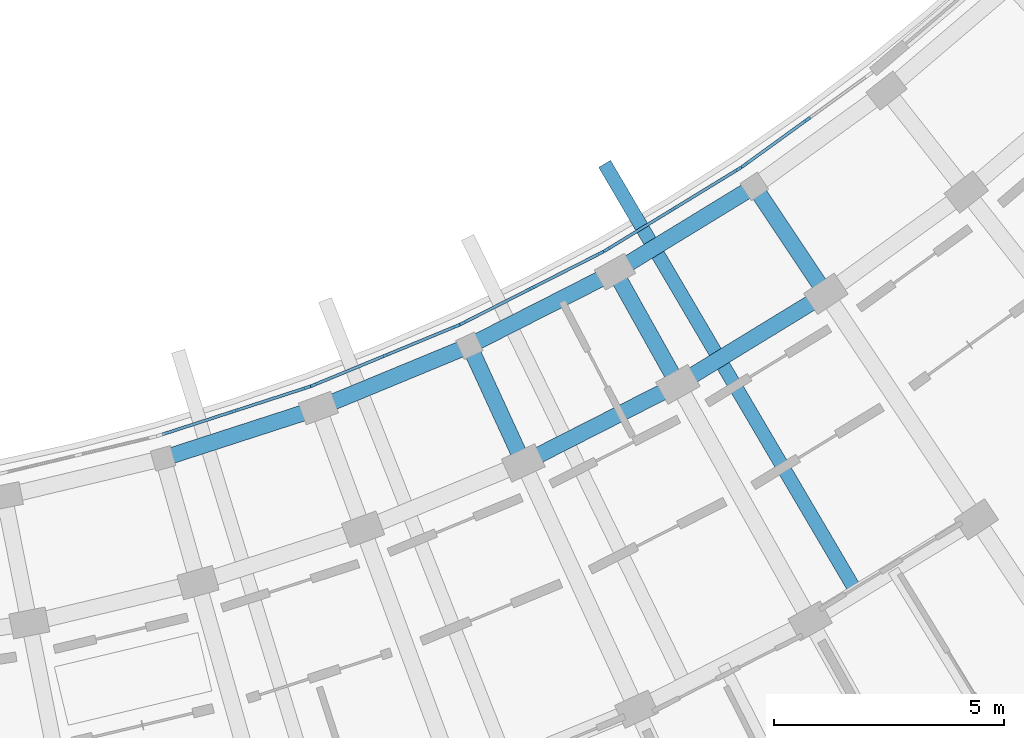
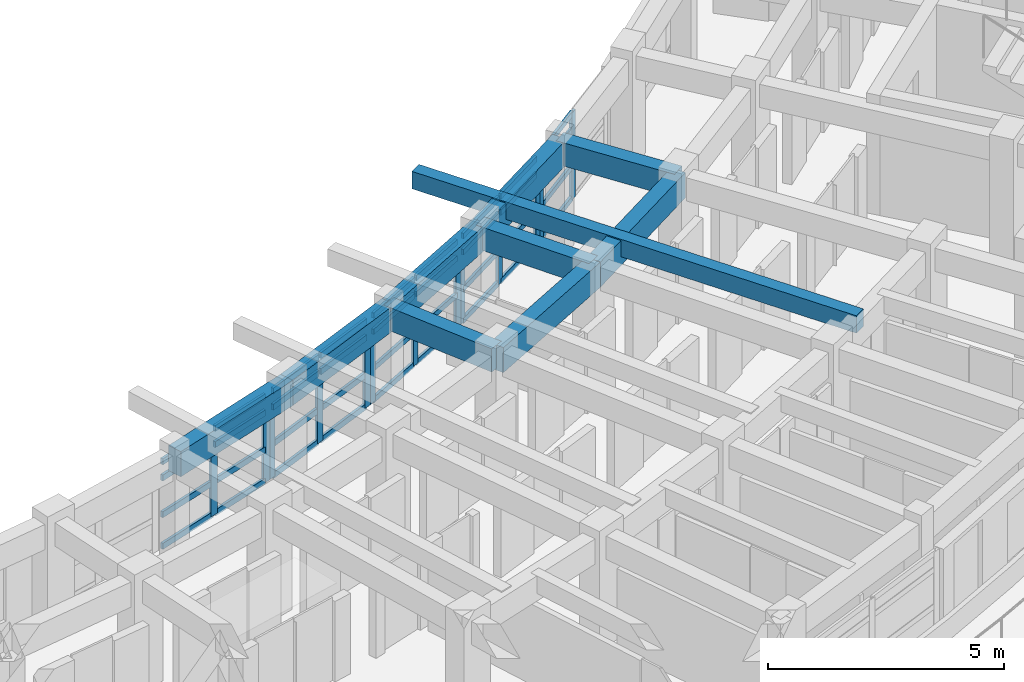
# One storey, part 19 of 55: 49 members, 10 beams, 5 elements without a shape of their own.
"""IFC4 building model written with IfcOpenShell, lengths in metres."""

from ifc_helpers import new_model, si_unit, direction, frame, origin, origin_2d, place, context, subcontext, project, spatial, rectangle, extrude, material, material_profile, profile_set, type_object, element, aggregate, save


model = new_model("IFC4")

# Units and contexts
model_context = context("Model", 3, precision=1e-05, world=origin(), true_north=direction((0.0, 1.0)))
body_context = subcontext(model_context, "Body", "Model", "MODEL_VIEW")
ifc_project = project(units=[si_unit("LENGTHUNIT", "METRE"), si_unit("AREAUNIT", "SQUARE_METRE"), si_unit("VOLUMEUNIT", "CUBIC_METRE"), si_unit("PLANEANGLEUNIT", "RADIAN"), si_unit("MASSUNIT", "GRAM", prefix="KILO")], contexts=[model_context])

# Site, building, storey
site_placement = place(None, origin())
site = spatial("IfcSite", under=ifc_project, at=site_placement, CompositionType="ELEMENT")
building_placement = place(site_placement, origin())
building = spatial("IfcBuilding", under=site, at=building_placement, Name="Zimvara Arc Housing Community", CompositionType="ELEMENT")
storey_placement = place(building_placement, frame((0.0, 0.0, 14.300048828125)))
storey = spatial("IfcBuildingStorey", under=building, at=storey_placement, Name="L04", CompositionType="ELEMENT", Elevation=14.300048828125)

# Beams
ifc_material_1 = material(Name="Concrete C40/50", Category="concrete")
ifc_material_profile_1 = material_profile(ifc_material_1, rectangle(XDim=0.300048828125, YDim=0.449951171875, at=origin_2d()), Name="RC 300x450")
ifc_profile_set_1 = profile_set([ifc_material_profile_1], Name="Concrete C40/50")
beam_type_1 = type_object("IfcBeamType", Name="BM-RC-300x450", PredefinedType="JOIST", material=ifc_profile_set_1)
beam_1_placement = place(storey_placement, frame((153.253173828125, 63.4853515625, 2.6650390625), z_axis=(-0.506940252116, 0.861981195146, 0.0), x_axis=(-0.861981195146, -0.506940252116, 0.0)))
element("IfcBeam", 1, at=beam_1_placement, inside=storey, type_object=beam_type_1, Name="bm:blkD:L04:cant_in:b6", PredefinedType="JOIST", context=body_context, shape_type="SweptSolid", body=[
    extrude(rectangle(XDim=0.300048828125, YDim=0.449951171875, at=origin_2d()), origin(), (0.0, 0.0, 1.0), 10.820068359375),
])
ifc_material_2 = material(Name="Concrete C40/50", Category="concrete")
ifc_material_profile_2 = material_profile(ifc_material_2, rectangle(XDim=0.35009765625, YDim=0.60009765625, at=origin_2d()), Name="RC 350x600")
ifc_profile_set_2 = profile_set([ifc_material_profile_2], Name="Concrete C40/50")
beam_type_2 = type_object("IfcBeamType", Name="BM-RC-350x600", PredefinedType="BEAM", material=ifc_profile_set_2)
for number, where, z_axis, x_axis, name in (
    (2, (144.834228515625, 68.8681640625, 2.56005859375), (0.417819250126, -0.908530172435, 0.0), (0.908530172435, 0.417819250126, 0.0), "bm:blkD:L04:rad:b5:r01"),
    (3, (147.9921875, 70.473876953125, 2.56005859375), (0.487825265957, -0.87294129808, 0.0), (0.87294129808, 0.487825265957, 0.0), "bm:blkD:L04:rad:b6:r01"),
    (4, (151.0146484375, 72.322265625, 2.56005859375), (0.55480079798, -0.831983217716, 0.0), (0.831983217716, 0.55480079798, 0.0), "bm:blkD:L04:rad:b7:r01"),
):
    element("IfcBeam", number, at=place(storey_placement, frame(where, z_axis=z_axis, x_axis=x_axis)), inside=storey, type_object=beam_type_2, Name=name, PredefinedType="BEAM", context=body_context, shape_type="SweptSolid", body=[
        extrude(rectangle(XDim=0.35009765625, YDim=0.60009765625, at=origin_2d()), origin(), (0.0, 0.0, 1.0), 2.800048828125),
    ])
ifc_material_3 = material(Name="Concrete C40/50", Category="concrete")
ifc_material_profile_3 = material_profile(ifc_material_3, rectangle(XDim=0.35009765625, YDim=0.64990234375, at=origin_2d()), Name="RC 350x650")
ifc_profile_set_3 = profile_set([ifc_material_profile_3], Name="Concrete C40/50")
beam_type_3 = type_object("IfcBeamType", Name="BM-RC-350x650", PredefinedType="BEAM", material=ifc_profile_set_3)
beam_2_placement = place(storey_placement, frame((138.189453125, 66.42333984375, 2.534912109375), z_axis=(0.951329887165, 0.308174375618, 0.0), x_axis=(-0.308174375618, 0.951329887165, 0.0)))
element("IfcBeam", 5, at=beam_2_placement, inside=storey, type_object=beam_type_3, Name="bm:blkD:L04:chord:r0:b3", PredefinedType="BEAM", context=body_context, shape_type="SweptSolid", body=[
    extrude(rectangle(XDim=0.35009765625, YDim=0.64990234375, at=origin_2d()), origin(), (0.0, 0.0, 1.0), 3.542724609375),
])
beam_3_placement = place(storey_placement, frame((141.559814453125, 67.51513671875, 2.534912109375), z_axis=(0.924206445561, 0.381893238987, 0.0), x_axis=(-0.381893238987, 0.924206445561, 0.0)))
element("IfcBeam", 6, at=beam_3_placement, inside=storey, type_object=beam_type_3, Name="bm:blkD:L04:chord:r0:b4", PredefinedType="BEAM", context=body_context, shape_type="SweptSolid", body=[
    extrude(rectangle(XDim=0.35009765625, YDim=0.64990234375, at=origin_2d()), origin(), (0.0, 0.0, 1.0), 3.54296875),
])
beam_4_placement = place(storey_placement, frame((144.834228515625, 68.8681640625, 2.534912109375), z_axis=(0.891388433472, 0.453240179895, 0.0), x_axis=(-0.453240179895, 0.891388433472, 0.0)))
element("IfcBeam", 7, at=beam_4_placement, inside=storey, type_object=beam_type_3, Name="bm:blkD:L04:chord:r0:b5", PredefinedType="BEAM", context=body_context, shape_type="SweptSolid", body=[
    extrude(rectangle(XDim=0.35009765625, YDim=0.64990234375, at=origin_2d()), origin(), (0.0, 0.0, 1.0), 3.542724609375),
])
beam_5_placement = place(storey_placement, frame((147.9921875, 70.473876953125, 2.534912109375), z_axis=(0.853114855616, 0.52172314797, 0.0), x_axis=(-0.52172314797, 0.853114855616, 0.0)))
element("IfcBeam", 8, at=beam_5_placement, inside=storey, type_object=beam_type_3, Name="bm:blkD:L04:chord:r0:b6", PredefinedType="BEAM", context=body_context, shape_type="SweptSolid", body=[
    extrude(rectangle(XDim=0.35009765625, YDim=0.64990234375, at=origin_2d()), origin(), (0.0, 0.0, 1.0), 3.54296875),
])
for number, where, z_axis, x_axis, name in (
    (9, (146.004150390625, 66.32421875, 2.534912109375), (0.891396237924, 0.453224830536, 0.0), (-0.453224830536, 0.891396237924, 0.0), "bm:blkD:L04:chord:r1:b5"),
    (10, (149.358154296875, 68.029541015625, 2.534912109375), (0.853105356478, 0.521738680517, 0.0), (-0.521738680517, 0.853105356478, 0.0), "bm:blkD:L04:chord:r1:b6"),
):
    element("IfcBeam", number, at=place(storey_placement, frame(where, z_axis=z_axis, x_axis=x_axis)), inside=storey, type_object=beam_type_3, Name=name, PredefinedType="BEAM", context=body_context, shape_type="SweptSolid", body=[
        extrude(rectangle(XDim=0.35009765625, YDim=0.64990234375, at=origin_2d()), origin(), (0.0, 0.0, 1.0), 3.7626953125),
    ])

# Curtain wall, members
ifc_material_4 = material(Name="Anodised Aluminium AW-6063", Category="aluminium")
curtain_wall_type_1 = type_object("IfcCurtainWallType", Name="CW-SYS-08", PredefinedType="USERDEFINED", material=ifc_material_4)
curtain_wall_1_placement = place(storey_placement, origin())
curtain_wall_1 = element("IfcCurtainWall", 11, at=curtain_wall_1_placement, inside=storey, type_object=curtain_wall_type_1, Name="cw:blkD:L04:in:b5", ObjectType="CURTAIN WALL", PredefinedType="USERDEFINED")
ifc_material_5 = material(Name="Anodised Aluminium AW-6063", Category="aluminium")
ifc_material_profile_4 = material_profile(ifc_material_5, rectangle(XDim=0.06494140625, YDim=0.179931640625, at=origin_2d()), Name="ALU 65x180")
ifc_profile_set_4 = profile_set([ifc_material_profile_4], Name="Anodised Aluminium AW-6063")
member_type_1 = type_object("IfcMemberType", Name="CWM-65x150", PredefinedType="MULLION", material=ifc_profile_set_4)
member_1_placement = place(storey_placement, frame((144.707763671875, 69.3642578125, 0.0), z_axis=(0.0, 0.0, 1.0), x_axis=(-0.453211411267, 0.89140306074, 0.0)))
member_1 = element("IfcMember", 12, at=member_1_placement, type_object=member_type_1, Name="CW08 mullion 1", PredefinedType="MULLION", context=body_context, shape_type="SweptSolid", body=[
    extrude(rectangle(XDim=0.06494140625, YDim=0.179931640625, at=origin_2d()), origin(), (0.0, 0.0, 1.0), 2.25),
])
member_2_placement = place(storey_placement, frame((146.186767578125, 70.1162109375, 0.0), z_axis=(0.0, 0.0, 1.0), x_axis=(-0.453211411267, 0.89140306074, 0.0)))
member_2 = element("IfcMember", 13, at=member_2_placement, type_object=member_type_1, Name="CW08 mullion 2", PredefinedType="MULLION", context=body_context, shape_type="SweptSolid", body=[
    extrude(rectangle(XDim=0.06494140625, YDim=0.179931640625, at=origin_2d()), origin(), (0.0, 0.0, 1.0), 2.25),
])
member_3_placement = place(storey_placement, frame((147.665771484375, 70.868408203125, 0.0), z_axis=(0.0, 0.0, 1.0), x_axis=(-0.453211411267, 0.89140306074, 0.0)))
member_3 = element("IfcMember", 14, at=member_3_placement, type_object=member_type_1, Name="CW08 mullion 3", PredefinedType="MULLION", context=body_context, shape_type="SweptSolid", body=[
    extrude(rectangle(XDim=0.06494140625, YDim=0.179931640625, at=origin_2d()), origin(), (0.0, 0.0, 1.0), 2.25),
])

ifc_material_6 = material(Name="Anodised Aluminium AW-6063", Category="aluminium")
curtain_wall_type_2 = type_object("IfcCurtainWallType", Name="CW-SYS-02", PredefinedType="USERDEFINED", material=ifc_material_6)
curtain_wall_2_placement = place(storey_placement, origin())
curtain_wall_2 = element("IfcCurtainWall", 15, at=curtain_wall_2_placement, inside=storey, type_object=curtain_wall_type_2, Name="cw:blkD:L04:in:b6", ObjectType="CURTAIN WALL", PredefinedType="USERDEFINED")
member_4_placement = place(storey_placement, frame((147.8271484375, 70.95849609375, 0.0), z_axis=(0.0, 0.0, 1.0), x_axis=(-0.521754224526, 0.853095849943, 0.0)))
member_4 = element("IfcMember", 16, at=member_4_placement, type_object=member_type_1, Name="CW02 mullion 1", PredefinedType="MULLION", context=body_context, shape_type="SweptSolid", body=[
    extrude(rectangle(XDim=0.06494140625, YDim=0.179931640625, at=origin_2d()), origin(), (0.0, 0.0, 1.0), 2.25),
])
member_5_placement = place(storey_placement, frame((149.24267578125, 71.82421875, 0.0), z_axis=(0.0, 0.0, 1.0), x_axis=(-0.521754224526, 0.853095849943, 0.0)))
member_5 = element("IfcMember", 17, at=member_5_placement, type_object=member_type_1, Name="CW02 mullion 2", PredefinedType="MULLION", context=body_context, shape_type="SweptSolid", body=[
    extrude(rectangle(XDim=0.06494140625, YDim=0.179931640625, at=origin_2d()), origin(), (0.0, 0.0, 1.0), 2.25),
])
member_6_placement = place(storey_placement, frame((150.658203125, 72.68994140625, 0.0), z_axis=(0.0, 0.0, 1.0), x_axis=(-0.521754224526, 0.853095849943, 0.0)))
member_6 = element("IfcMember", 18, at=member_6_placement, type_object=member_type_1, Name="CW02 mullion 3", PredefinedType="MULLION", context=body_context, shape_type="SweptSolid", body=[
    extrude(rectangle(XDim=0.06494140625, YDim=0.179931640625, at=origin_2d()), origin(), (0.0, 0.0, 1.0), 2.25),
])

ifc_material_7 = material(Name="Anodised Aluminium AW-6063", Category="aluminium")
curtain_wall_type_3 = type_object("IfcCurtainWallType", Name="CW-SYS-04", PredefinedType="USERDEFINED", material=ifc_material_7)
curtain_wall_3_placement = place(storey_placement, origin())
curtain_wall_3 = element("IfcCurtainWall", 19, at=curtain_wall_3_placement, inside=storey, type_object=curtain_wall_type_3, Name="cw:blkD:L04:in:b7", ObjectType="CURTAIN WALL", PredefinedType="USERDEFINED")
member_7_placement = place(storey_placement, frame((150.81201171875, 72.79248046875, 0.0), z_axis=(0.0, 0.0, 1.0), x_axis=(-0.587079343755, 0.809529396709, 0.0)))
member_7 = element("IfcMember", 20, at=member_7_placement, type_object=member_type_1, Name="CW04 mullion 1", PredefinedType="MULLION", context=body_context, shape_type="SweptSolid", body=[
    extrude(rectangle(XDim=0.06494140625, YDim=0.179931640625, at=origin_2d()), origin(), (0.0, 0.0, 1.0), 2.25),
])
member_8_placement = place(storey_placement, frame((152.1552734375, 73.7666015625, 0.0), z_axis=(0.0, 0.0, 1.0), x_axis=(-0.587079343755, 0.809529396709, 0.0)))
member_8 = element("IfcMember", 21, at=member_8_placement, type_object=member_type_1, Name="CW04 mullion 2", PredefinedType="MULLION", context=body_context, shape_type="SweptSolid", body=[
    extrude(rectangle(XDim=0.06494140625, YDim=0.179931640625, at=origin_2d()), origin(), (0.0, 0.0, 1.0), 2.25),
])

ifc_material_8 = material(Name="Anodised Aluminium AW-6063", Category="aluminium")
curtain_wall_type_4 = type_object("IfcCurtainWallType", Name="CW-SYS-05", PredefinedType="USERDEFINED", material=ifc_material_8)
curtain_wall_4_placement = place(storey_placement, origin())
curtain_wall_4 = element("IfcCurtainWall", 22, at=curtain_wall_4_placement, inside=storey, type_object=curtain_wall_type_4, Name="cw:blkD:L04:in:b3", ObjectType="CURTAIN WALL", PredefinedType="USERDEFINED")
ifc_material_9 = material(Name="Anodised Aluminium AW-6063", Category="aluminium")
ifc_material_profile_5 = material_profile(ifc_material_9, rectangle(XDim=0.06494140625, YDim=0.195068359375, at=origin_2d()), Name="ALU 65x195")
ifc_profile_set_5 = profile_set([ifc_material_profile_5], Name="Anodised Aluminium AW-6063")
member_type_2 = type_object("IfcMemberType", Name="CWM-65x180", PredefinedType="MULLION", material=ifc_profile_set_5)
member_9_placement = place(storey_placement, frame((139.720703125, 67.444580078125, 0.0), z_axis=(0.0, 0.0, 1.0), x_axis=(-0.308185223559, 0.951326373008, 0.0)))
member_9 = element("IfcMember", 23, at=member_9_placement, type_object=member_type_2, Name="CW05 mullion 2", PredefinedType="MULLION", context=body_context, shape_type="SweptSolid", body=[
    extrude(rectangle(XDim=0.06494140625, YDim=0.195068359375, at=origin_2d()), origin(), (0.0, 0.0, 1.0), 2.25),
])
member_10_placement = place(storey_placement, frame((141.29931640625, 67.9560546875, 0.0), z_axis=(0.0, 0.0, 1.0), x_axis=(-0.308185223559, 0.951326373008, 0.0)))
member_10 = element("IfcMember", 24, at=member_10_placement, type_object=member_type_2, Name="CW05 mullion 3", PredefinedType="MULLION", context=body_context, shape_type="SweptSolid", body=[
    extrude(rectangle(XDim=0.06494140625, YDim=0.195068359375, at=origin_2d()), origin(), (0.0, 0.0, 1.0), 2.25),
])

ifc_material_10 = material(Name="Anodised Aluminium AW-6063", Category="aluminium")
curtain_wall_type_5 = type_object("IfcCurtainWallType", Name="CW-SYS-07", PredefinedType="USERDEFINED", material=ifc_material_10)
curtain_wall_5_placement = place(storey_placement, origin())
curtain_wall_5 = element("IfcCurtainWall", 25, at=curtain_wall_5_placement, inside=storey, type_object=curtain_wall_type_5, Name="cw:blkD:L04:in:b4", ObjectType="CURTAIN WALL", PredefinedType="USERDEFINED")
member_11_placement = place(storey_placement, frame((141.47265625, 68.019775390625, 0.0), z_axis=(0.0, 0.0, 1.0), x_axis=(-0.381877167728, 0.924213086235, 0.0)))
member_11 = element("IfcMember", 26, at=member_11_placement, type_object=member_type_2, Name="CW07 mullion 1", PredefinedType="MULLION", context=body_context, shape_type="SweptSolid", body=[
    extrude(rectangle(XDim=0.06494140625, YDim=0.195068359375, at=origin_2d()), origin(), (0.0, 0.0, 1.0), 2.25),
])
member_12_placement = place(storey_placement, frame((143.006103515625, 68.6533203125, 0.0), z_axis=(0.0, 0.0, 1.0), x_axis=(-0.381877167728, 0.924213086235, 0.0)))
member_12 = element("IfcMember", 27, at=member_12_placement, type_object=member_type_2, Name="CW07 mullion 2", PredefinedType="MULLION", context=body_context, shape_type="SweptSolid", body=[
    extrude(rectangle(XDim=0.06494140625, YDim=0.195068359375, at=origin_2d()), origin(), (0.0, 0.0, 1.0), 2.25),
])
member_13_placement = place(storey_placement, frame((144.539794921875, 69.287109375, 0.0), z_axis=(0.0, 0.0, 1.0), x_axis=(-0.381877167728, 0.924213086235, 0.0)))
member_13 = element("IfcMember", 28, at=member_13_placement, type_object=member_type_2, Name="CW07 mullion 3", PredefinedType="MULLION", context=body_context, shape_type="SweptSolid", body=[
    extrude(rectangle(XDim=0.06494140625, YDim=0.195068359375, at=origin_2d()), origin(), (0.0, 0.0, 1.0), 2.25),
])

# Member
ifc_material_11 = material(Name="Anodised Aluminium AW-6063", Category="aluminium")
ifc_material_profile_6 = material_profile(ifc_material_11, rectangle(XDim=0.06494140625, YDim=0.139892578125, at=origin_2d()), Name="ALU 65x140")
ifc_profile_set_6 = profile_set([ifc_material_profile_6], Name="Anodised Aluminium AW-6063")
member_type_3 = type_object("IfcMemberType", Name="CWT-65x120", PredefinedType="USERDEFINED", material=ifc_profile_set_6)
member_14_placement = place(storey_placement, frame((144.736572265625, 69.37890625, 0.032470703125), z_axis=(0.891374643948, 0.453267298761, 0.0), x_axis=(-0.453267298761, 0.891374643948, 0.0)))
member_14 = element("IfcMember", 29, at=member_14_placement, type_object=member_type_3, Name="CW08 transom 1.1", ObjectType="TRANSOM", PredefinedType="USERDEFINED", context=body_context, shape_type="SweptSolid", body=[
    extrude(rectangle(XDim=0.06494140625, YDim=0.139892578125, at=origin_2d()), origin(), (0.0, 0.0, 1.0), 1.59423828125),
])

member_15_placement = place(storey_placement, frame((144.736572265625, 69.37890625, 0.849853515625), z_axis=(0.891374643948, 0.453267298761, 0.0), x_axis=(-0.453267298761, 0.891374643948, 0.0)))
member_15 = element("IfcMember", 30, at=member_15_placement, type_object=member_type_3, Name="CW08 transom 1.2", ObjectType="TRANSOM", PredefinedType="USERDEFINED", context=body_context, shape_type="SweptSolid", body=[
    extrude(rectangle(XDim=0.06494140625, YDim=0.139892578125, at=origin_2d()), origin(), (0.0, 0.0, 1.0), 1.59423828125),
])

member_16_placement = place(storey_placement, frame((144.736572265625, 69.37890625, 1.800048828125), z_axis=(0.891374643948, 0.453267298761, 0.0), x_axis=(-0.453267298761, 0.891374643948, 0.0)))
member_16 = element("IfcMember", 31, at=member_16_placement, type_object=member_type_3, Name="CW08 transom 1.3", ObjectType="TRANSOM", PredefinedType="USERDEFINED", context=body_context, shape_type="SweptSolid", body=[
    extrude(rectangle(XDim=0.06494140625, YDim=0.139892578125, at=origin_2d()), origin(), (0.0, 0.0, 1.0), 1.59423828125),
])

member_17_placement = place(storey_placement, frame((144.736572265625, 69.37890625, 2.217529296875), z_axis=(0.891374643948, 0.453267298761, 0.0), x_axis=(-0.453267298761, 0.891374643948, 0.0)))
member_17 = element("IfcMember", 32, at=member_17_placement, type_object=member_type_3, Name="CW08 transom 1.4", ObjectType="TRANSOM", PredefinedType="USERDEFINED", context=body_context, shape_type="SweptSolid", body=[
    extrude(rectangle(XDim=0.06494140625, YDim=0.139892578125, at=origin_2d()), origin(), (0.0, 0.0, 1.0), 1.59423828125),
])

member_18_placement = place(storey_placement, frame((146.2158203125, 70.131103515625, 0.032470703125), z_axis=(0.891436509542, 0.453145616172, 0.0), x_axis=(-0.453145616172, 0.891436509542, 0.0)))
member_18 = element("IfcMember", 33, at=member_18_placement, type_object=member_type_3, Name="CW08 transom 2.1", ObjectType="TRANSOM", PredefinedType="USERDEFINED", context=body_context, shape_type="SweptSolid", body=[
    extrude(rectangle(XDim=0.06494140625, YDim=0.139892578125, at=origin_2d()), origin(), (0.0, 0.0, 1.0), 1.59423828125),
])

member_19_placement = place(storey_placement, frame((146.2158203125, 70.131103515625, 0.849853515625), z_axis=(0.891436509542, 0.453145616172, 0.0), x_axis=(-0.453145616172, 0.891436509542, 0.0)))
member_19 = element("IfcMember", 34, at=member_19_placement, type_object=member_type_3, Name="CW08 transom 2.2", ObjectType="TRANSOM", PredefinedType="USERDEFINED", context=body_context, shape_type="SweptSolid", body=[
    extrude(rectangle(XDim=0.06494140625, YDim=0.139892578125, at=origin_2d()), origin(), (0.0, 0.0, 1.0), 1.59423828125),
])

member_20_placement = place(storey_placement, frame((146.2158203125, 70.131103515625, 1.800048828125), z_axis=(0.891436509542, 0.453145616172, 0.0), x_axis=(-0.453145616172, 0.891436509542, 0.0)))
member_20 = element("IfcMember", 35, at=member_20_placement, type_object=member_type_3, Name="CW08 transom 2.3", ObjectType="TRANSOM", PredefinedType="USERDEFINED", context=body_context, shape_type="SweptSolid", body=[
    extrude(rectangle(XDim=0.06494140625, YDim=0.139892578125, at=origin_2d()), origin(), (0.0, 0.0, 1.0), 1.59423828125),
])

member_21_placement = place(storey_placement, frame((146.2158203125, 70.131103515625, 2.217529296875), z_axis=(0.891436509542, 0.453145616172, 0.0), x_axis=(-0.453145616172, 0.891436509542, 0.0)))
member_21 = element("IfcMember", 36, at=member_21_placement, type_object=member_type_3, Name="CW08 transom 2.4", ObjectType="TRANSOM", PredefinedType="USERDEFINED", context=body_context, shape_type="SweptSolid", body=[
    extrude(rectangle(XDim=0.06494140625, YDim=0.139892578125, at=origin_2d()), origin(), (0.0, 0.0, 1.0), 1.59423828125),
])

aggregate(curtain_wall_1, [member_1, member_2, member_3, member_14, member_15, member_16, member_17, member_18, member_19, member_20, member_21])

member_22_placement = place(storey_placement, frame((147.85498046875, 70.975341796875, 0.032470703125), z_axis=(0.853043286851, 0.521840158246, 0.0), x_axis=(-0.521840158246, 0.853043286851, 0.0)))
member_22 = element("IfcMember", 37, at=member_22_placement, type_object=member_type_3, Name="CW02 transom 1.1", ObjectType="TRANSOM", PredefinedType="USERDEFINED", context=body_context, shape_type="SweptSolid", body=[
    extrude(rectangle(XDim=0.06494140625, YDim=0.139892578125, at=origin_2d()), origin(), (0.0, 0.0, 1.0), 1.594482421875),
])

member_23_placement = place(storey_placement, frame((147.85498046875, 70.975341796875, 0.849853515625), z_axis=(0.853043286851, 0.521840158246, 0.0), x_axis=(-0.521840158246, 0.853043286851, 0.0)))
member_23 = element("IfcMember", 38, at=member_23_placement, type_object=member_type_3, Name="CW02 transom 1.2", ObjectType="TRANSOM", PredefinedType="USERDEFINED", context=body_context, shape_type="SweptSolid", body=[
    extrude(rectangle(XDim=0.06494140625, YDim=0.139892578125, at=origin_2d()), origin(), (0.0, 0.0, 1.0), 1.594482421875),
])

member_24_placement = place(storey_placement, frame((147.85498046875, 70.975341796875, 1.800048828125), z_axis=(0.853043286851, 0.521840158246, 0.0), x_axis=(-0.521840158246, 0.853043286851, 0.0)))
member_24 = element("IfcMember", 39, at=member_24_placement, type_object=member_type_3, Name="CW02 transom 1.3", ObjectType="TRANSOM", PredefinedType="USERDEFINED", context=body_context, shape_type="SweptSolid", body=[
    extrude(rectangle(XDim=0.06494140625, YDim=0.139892578125, at=origin_2d()), origin(), (0.0, 0.0, 1.0), 1.594482421875),
])

member_25_placement = place(storey_placement, frame((147.85498046875, 70.975341796875, 2.217529296875), z_axis=(0.853043286851, 0.521840158246, 0.0), x_axis=(-0.521840158246, 0.853043286851, 0.0)))
member_25 = element("IfcMember", 40, at=member_25_placement, type_object=member_type_3, Name="CW02 transom 1.4", ObjectType="TRANSOM", PredefinedType="USERDEFINED", context=body_context, shape_type="SweptSolid", body=[
    extrude(rectangle(XDim=0.06494140625, YDim=0.139892578125, at=origin_2d()), origin(), (0.0, 0.0, 1.0), 1.594482421875),
])

member_26_placement = place(storey_placement, frame((149.2705078125, 71.841064453125, 0.032470703125), z_axis=(0.853043286851, 0.521840158246, 0.0), x_axis=(-0.521840158246, 0.853043286851, 0.0)))
member_26 = element("IfcMember", 41, at=member_26_placement, type_object=member_type_3, Name="CW02 transom 2.1", ObjectType="TRANSOM", PredefinedType="USERDEFINED", context=body_context, shape_type="SweptSolid", body=[
    extrude(rectangle(XDim=0.06494140625, YDim=0.139892578125, at=origin_2d()), origin(), (0.0, 0.0, 1.0), 1.594482421875),
])

member_27_placement = place(storey_placement, frame((149.2705078125, 71.841064453125, 0.849853515625), z_axis=(0.853043286851, 0.521840158246, 0.0), x_axis=(-0.521840158246, 0.853043286851, 0.0)))
member_27 = element("IfcMember", 42, at=member_27_placement, type_object=member_type_3, Name="CW02 transom 2.2", ObjectType="TRANSOM", PredefinedType="USERDEFINED", context=body_context, shape_type="SweptSolid", body=[
    extrude(rectangle(XDim=0.06494140625, YDim=0.139892578125, at=origin_2d()), origin(), (0.0, 0.0, 1.0), 1.594482421875),
])

member_28_placement = place(storey_placement, frame((149.2705078125, 71.841064453125, 1.800048828125), z_axis=(0.853043286851, 0.521840158246, 0.0), x_axis=(-0.521840158246, 0.853043286851, 0.0)))
member_28 = element("IfcMember", 43, at=member_28_placement, type_object=member_type_3, Name="CW02 transom 2.3", ObjectType="TRANSOM", PredefinedType="USERDEFINED", context=body_context, shape_type="SweptSolid", body=[
    extrude(rectangle(XDim=0.06494140625, YDim=0.139892578125, at=origin_2d()), origin(), (0.0, 0.0, 1.0), 1.594482421875),
])

member_29_placement = place(storey_placement, frame((149.2705078125, 71.841064453125, 2.217529296875), z_axis=(0.853043286851, 0.521840158246, 0.0), x_axis=(-0.521840158246, 0.853043286851, 0.0)))
member_29 = element("IfcMember", 44, at=member_29_placement, type_object=member_type_3, Name="CW02 transom 2.4", ObjectType="TRANSOM", PredefinedType="USERDEFINED", context=body_context, shape_type="SweptSolid", body=[
    extrude(rectangle(XDim=0.06494140625, YDim=0.139892578125, at=origin_2d()), origin(), (0.0, 0.0, 1.0), 1.594482421875),
])

aggregate(curtain_wall_2, [member_4, member_5, member_6, member_22, member_23, member_24, member_25, member_26, member_27, member_28, member_29])

member_30_placement = place(storey_placement, frame((150.83837890625, 72.8115234375, 0.032470703125), z_axis=(0.809490349774, 0.587133182185, 0.0), x_axis=(-0.587133182185, 0.809490349774, 0.0)))
member_30 = element("IfcMember", 45, at=member_30_placement, type_object=member_type_3, Name="CW04 transom 1.1", ObjectType="TRANSOM", PredefinedType="USERDEFINED", context=body_context, shape_type="SweptSolid", body=[
    extrude(rectangle(XDim=0.06494140625, YDim=0.139892578125, at=origin_2d()), origin(), (0.0, 0.0, 1.0), 1.59423828125),
])

member_31_placement = place(storey_placement, frame((150.83837890625, 72.8115234375, 0.849853515625), z_axis=(0.809490349774, 0.587133182185, 0.0), x_axis=(-0.587133182185, 0.809490349774, 0.0)))
member_31 = element("IfcMember", 46, at=member_31_placement, type_object=member_type_3, Name="CW04 transom 1.2", ObjectType="TRANSOM", PredefinedType="USERDEFINED", context=body_context, shape_type="SweptSolid", body=[
    extrude(rectangle(XDim=0.06494140625, YDim=0.139892578125, at=origin_2d()), origin(), (0.0, 0.0, 1.0), 1.59423828125),
])

member_32_placement = place(storey_placement, frame((150.83837890625, 72.8115234375, 1.800048828125), z_axis=(0.809490349774, 0.587133182185, 0.0), x_axis=(-0.587133182185, 0.809490349774, 0.0)))
member_32 = element("IfcMember", 47, at=member_32_placement, type_object=member_type_3, Name="CW04 transom 1.3", ObjectType="TRANSOM", PredefinedType="USERDEFINED", context=body_context, shape_type="SweptSolid", body=[
    extrude(rectangle(XDim=0.06494140625, YDim=0.139892578125, at=origin_2d()), origin(), (0.0, 0.0, 1.0), 1.59423828125),
])

member_33_placement = place(storey_placement, frame((150.83837890625, 72.8115234375, 2.217529296875), z_axis=(0.809490349774, 0.587133182185, 0.0), x_axis=(-0.587133182185, 0.809490349774, 0.0)))
member_33 = element("IfcMember", 48, at=member_33_placement, type_object=member_type_3, Name="CW04 transom 1.4", ObjectType="TRANSOM", PredefinedType="USERDEFINED", context=body_context, shape_type="SweptSolid", body=[
    extrude(rectangle(XDim=0.06494140625, YDim=0.139892578125, at=origin_2d()), origin(), (0.0, 0.0, 1.0), 1.59423828125),
])

aggregate(curtain_wall_3, [member_7, member_8, member_30, member_31, member_32, member_33])

ifc_material_12 = material(Name="Anodised Aluminium AW-6063", Category="aluminium")
ifc_material_profile_7 = material_profile(ifc_material_12, rectangle(XDim=0.06494140625, YDim=0.155029296875, at=origin_2d()), Name="ALU 65x155")
ifc_profile_set_7 = profile_set([ifc_material_profile_7], Name="Anodised Aluminium AW-6063")
member_type_4 = type_object("IfcMemberType", Name="CWT-65x140", PredefinedType="USERDEFINED", material=ifc_profile_set_7)
member_34_placement = place(storey_placement, frame((138.173095703125, 66.943115234375, 0.032470703125), z_axis=(0.951299308569, 0.308268755336, 0.0), x_axis=(-0.308268755336, 0.951299308569, 0.0)))
member_34 = element("IfcMember", 49, at=member_34_placement, type_object=member_type_4, Name="CW05 transom 1.1", ObjectType="TRANSOM", PredefinedType="USERDEFINED", context=body_context, shape_type="SweptSolid", body=[
    extrude(rectangle(XDim=0.06494140625, YDim=0.155029296875, at=origin_2d()), origin(), (0.0, 0.0, 1.0), 1.59423828125),
])

member_35_placement = place(storey_placement, frame((138.173095703125, 66.943115234375, 0.849853515625), z_axis=(0.951299308569, 0.308268755336, 0.0), x_axis=(-0.308268755336, 0.951299308569, 0.0)))
member_35 = element("IfcMember", 50, at=member_35_placement, type_object=member_type_4, Name="CW05 transom 1.2", ObjectType="TRANSOM", PredefinedType="USERDEFINED", context=body_context, shape_type="SweptSolid", body=[
    extrude(rectangle(XDim=0.06494140625, YDim=0.155029296875, at=origin_2d()), origin(), (0.0, 0.0, 1.0), 1.59423828125),
])

member_36_placement = place(storey_placement, frame((138.173095703125, 66.943115234375, 1.800048828125), z_axis=(0.951299308569, 0.308268755336, 0.0), x_axis=(-0.308268755336, 0.951299308569, 0.0)))
member_36 = element("IfcMember", 51, at=member_36_placement, type_object=member_type_4, Name="CW05 transom 1.3", ObjectType="TRANSOM", PredefinedType="USERDEFINED", context=body_context, shape_type="SweptSolid", body=[
    extrude(rectangle(XDim=0.06494140625, YDim=0.155029296875, at=origin_2d()), origin(), (0.0, 0.0, 1.0), 1.59423828125),
])

member_37_placement = place(storey_placement, frame((138.173095703125, 66.943115234375, 2.217529296875), z_axis=(0.951299308569, 0.308268755336, 0.0), x_axis=(-0.308268755336, 0.951299308569, 0.0)))
member_37 = element("IfcMember", 52, at=member_37_placement, type_object=member_type_4, Name="CW05 transom 1.4", ObjectType="TRANSOM", PredefinedType="USERDEFINED", context=body_context, shape_type="SweptSolid", body=[
    extrude(rectangle(XDim=0.06494140625, YDim=0.155029296875, at=origin_2d()), origin(), (0.0, 0.0, 1.0), 1.59423828125),
])

member_38_placement = place(storey_placement, frame((139.751708984375, 67.45458984375, 0.032470703125), z_axis=(0.951344209493, 0.308130159289, 0.0), x_axis=(-0.308130159289, 0.951344209493, 0.0)))
member_38 = element("IfcMember", 53, at=member_38_placement, type_object=member_type_4, Name="CW05 transom 2.1", ObjectType="TRANSOM", PredefinedType="USERDEFINED", context=body_context, shape_type="SweptSolid", body=[
    extrude(rectangle(XDim=0.06494140625, YDim=0.155029296875, at=origin_2d()), origin(), (0.0, 0.0, 1.0), 1.59423828125),
])

member_39_placement = place(storey_placement, frame((139.751708984375, 67.45458984375, 0.849853515625), z_axis=(0.951344209493, 0.308130159289, 0.0), x_axis=(-0.308130159289, 0.951344209493, 0.0)))
member_39 = element("IfcMember", 54, at=member_39_placement, type_object=member_type_4, Name="CW05 transom 2.2", ObjectType="TRANSOM", PredefinedType="USERDEFINED", context=body_context, shape_type="SweptSolid", body=[
    extrude(rectangle(XDim=0.06494140625, YDim=0.155029296875, at=origin_2d()), origin(), (0.0, 0.0, 1.0), 1.59423828125),
])

member_40_placement = place(storey_placement, frame((139.751708984375, 67.45458984375, 1.800048828125), z_axis=(0.951344209493, 0.308130159289, 0.0), x_axis=(-0.308130159289, 0.951344209493, 0.0)))
member_40 = element("IfcMember", 55, at=member_40_placement, type_object=member_type_4, Name="CW05 transom 2.3", ObjectType="TRANSOM", PredefinedType="USERDEFINED", context=body_context, shape_type="SweptSolid", body=[
    extrude(rectangle(XDim=0.06494140625, YDim=0.155029296875, at=origin_2d()), origin(), (0.0, 0.0, 1.0), 1.59423828125),
])

member_41_placement = place(storey_placement, frame((139.751708984375, 67.45458984375, 2.217529296875), z_axis=(0.951344209493, 0.308130159289, 0.0), x_axis=(-0.308130159289, 0.951344209493, 0.0)))
member_41 = element("IfcMember", 56, at=member_41_placement, type_object=member_type_4, Name="CW05 transom 2.4", ObjectType="TRANSOM", PredefinedType="USERDEFINED", context=body_context, shape_type="SweptSolid", body=[
    extrude(rectangle(XDim=0.06494140625, YDim=0.155029296875, at=origin_2d()), origin(), (0.0, 0.0, 1.0), 1.59423828125),
])

aggregate(curtain_wall_4, [member_9, member_10, member_34, member_35, member_36, member_37, member_38, member_39, member_40, member_41])

member_42_placement = place(storey_placement, frame((141.502685546875, 68.0322265625, 0.032470703125), z_axis=(0.924246154264, 0.381797127188, 0.0), x_axis=(-0.381797127188, 0.924246154264, 0.0)))
member_42 = element("IfcMember", 57, at=member_42_placement, type_object=member_type_4, Name="CW07 transom 1.1", ObjectType="TRANSOM", PredefinedType="USERDEFINED", context=body_context, shape_type="SweptSolid", body=[
    extrude(rectangle(XDim=0.06494140625, YDim=0.155029296875, at=origin_2d()), origin(), (0.0, 0.0, 1.0), 1.59423828125),
])

member_43_placement = place(storey_placement, frame((141.502685546875, 68.0322265625, 0.849853515625), z_axis=(0.924246154264, 0.381797127188, 0.0), x_axis=(-0.381797127188, 0.924246154264, 0.0)))
member_43 = element("IfcMember", 58, at=member_43_placement, type_object=member_type_4, Name="CW07 transom 1.2", ObjectType="TRANSOM", PredefinedType="USERDEFINED", context=body_context, shape_type="SweptSolid", body=[
    extrude(rectangle(XDim=0.06494140625, YDim=0.155029296875, at=origin_2d()), origin(), (0.0, 0.0, 1.0), 1.59423828125),
])

member_44_placement = place(storey_placement, frame((141.502685546875, 68.0322265625, 1.800048828125), z_axis=(0.924246154264, 0.381797127188, 0.0), x_axis=(-0.381797127188, 0.924246154264, 0.0)))
member_44 = element("IfcMember", 59, at=member_44_placement, type_object=member_type_4, Name="CW07 transom 1.3", ObjectType="TRANSOM", PredefinedType="USERDEFINED", context=body_context, shape_type="SweptSolid", body=[
    extrude(rectangle(XDim=0.06494140625, YDim=0.155029296875, at=origin_2d()), origin(), (0.0, 0.0, 1.0), 1.59423828125),
])

member_45_placement = place(storey_placement, frame((141.502685546875, 68.0322265625, 2.217529296875), z_axis=(0.924246154264, 0.381797127188, 0.0), x_axis=(-0.381797127188, 0.924246154264, 0.0)))
member_45 = element("IfcMember", 60, at=member_45_placement, type_object=member_type_4, Name="CW07 transom 1.4", ObjectType="TRANSOM", PredefinedType="USERDEFINED", context=body_context, shape_type="SweptSolid", body=[
    extrude(rectangle(XDim=0.06494140625, YDim=0.155029296875, at=origin_2d()), origin(), (0.0, 0.0, 1.0), 1.59423828125),
])

member_46_placement = place(storey_placement, frame((143.036376953125, 68.665771484375, 0.032470703125), z_axis=(0.924192106257, 0.381927939189, 0.0), x_axis=(-0.381927939189, 0.924192106257, 0.0)))
member_46 = element("IfcMember", 61, at=member_46_placement, type_object=member_type_4, Name="CW07 transom 2.1", ObjectType="TRANSOM", PredefinedType="USERDEFINED", context=body_context, shape_type="SweptSolid", body=[
    extrude(rectangle(XDim=0.06494140625, YDim=0.155029296875, at=origin_2d()), origin(), (0.0, 0.0, 1.0), 1.59423828125),
])

member_47_placement = place(storey_placement, frame((143.036376953125, 68.665771484375, 0.849853515625), z_axis=(0.924192106257, 0.381927939189, 0.0), x_axis=(-0.381927939189, 0.924192106257, 0.0)))
member_47 = element("IfcMember", 62, at=member_47_placement, type_object=member_type_4, Name="CW07 transom 2.2", ObjectType="TRANSOM", PredefinedType="USERDEFINED", context=body_context, shape_type="SweptSolid", body=[
    extrude(rectangle(XDim=0.06494140625, YDim=0.155029296875, at=origin_2d()), origin(), (0.0, 0.0, 1.0), 1.59423828125),
])

member_48_placement = place(storey_placement, frame((143.036376953125, 68.665771484375, 1.800048828125), z_axis=(0.924192106257, 0.381927939189, 0.0), x_axis=(-0.381927939189, 0.924192106257, 0.0)))
member_48 = element("IfcMember", 63, at=member_48_placement, type_object=member_type_4, Name="CW07 transom 2.3", ObjectType="TRANSOM", PredefinedType="USERDEFINED", context=body_context, shape_type="SweptSolid", body=[
    extrude(rectangle(XDim=0.06494140625, YDim=0.155029296875, at=origin_2d()), origin(), (0.0, 0.0, 1.0), 1.59423828125),
])

member_49_placement = place(storey_placement, frame((143.036376953125, 68.665771484375, 2.217529296875), z_axis=(0.924192106257, 0.381927939189, 0.0), x_axis=(-0.381927939189, 0.924192106257, 0.0)))
member_49 = element("IfcMember", 64, at=member_49_placement, type_object=member_type_4, Name="CW07 transom 2.4", ObjectType="TRANSOM", PredefinedType="USERDEFINED", context=body_context, shape_type="SweptSolid", body=[
    extrude(rectangle(XDim=0.06494140625, YDim=0.155029296875, at=origin_2d()), origin(), (0.0, 0.0, 1.0), 1.59423828125),
])

aggregate(curtain_wall_5, [member_11, member_12, member_13, member_42, member_43, member_44, member_45, member_46, member_47, member_48, member_49])

save(model, "model.ifc")
